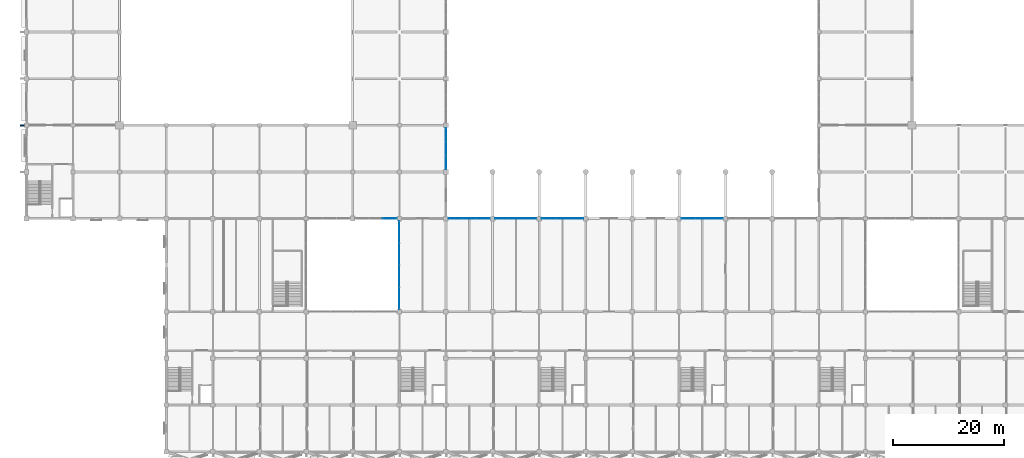
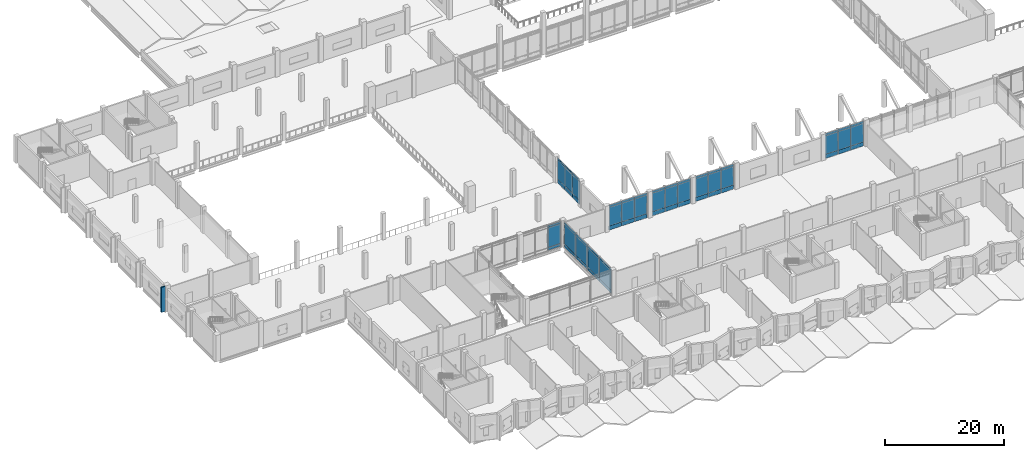
# One storey, part 37 of 72: 61 plates, 7 elements without a shape of their own.
"""IFC4 building model written with IfcOpenShell, lengths in metres."""

from ifc_helpers import new_model, si_unit, direction, frame, frame_2d, origin, place, context, subcontext, project, spatial, rectangle, extrude, material, layer, layer_set, type_object, element, aggregate, save


model = new_model("IFC4")

# Units and contexts
model_context = context("Model", 3, precision=1e-05, world=origin(), true_north=direction((0.0, 1.0)))
body_context = subcontext(model_context, "Body", "Model", "MODEL_VIEW")
ifc_project = project(units=[si_unit("LENGTHUNIT", "METRE"), si_unit("AREAUNIT", "SQUARE_METRE"), si_unit("VOLUMEUNIT", "CUBIC_METRE"), si_unit("PLANEANGLEUNIT", "RADIAN"), si_unit("MASSUNIT", "GRAM", prefix="KILO")], contexts=[model_context])

# Site, building, storey
site_placement = place(None, origin())
site = spatial("IfcSite", under=ifc_project, at=site_placement, CompositionType="ELEMENT")
building_placement = place(site_placement, origin())
building = spatial("IfcBuilding", under=site, at=building_placement, Name="Qawsi Khor Wholesale Market", CompositionType="ELEMENT")
storey_placement = place(building_placement, frame((0.0, 0.0, 6.0)))
storey = spatial("IfcBuildingStorey", under=building, at=storey_placement, Name="L01", CompositionType="ELEMENT", Elevation=6.0)

# Curtain wall, plate
ifc_material_1 = material(Name="Aluminium Anodised Bronze", Category="aluminium")
ifc_layer_1 = layer(ifc_material_1, 0.179931640625, Name="Aluminium Anodised Bronze")
ifc_layer_set_1 = layer_set([ifc_layer_1], Name="Aluminium Anodised Bronze")
curtain_wall_type_1 = type_object("IfcCurtainWallType", Name="Atrium Full-Height Curtain Wall CW-02", PredefinedType="NOTDEFINED", material=ifc_layer_set_1)
curtain_wall_1_placement = place(storey_placement, origin())
curtain_wall_1 = element("IfcCurtainWall", 1, at=curtain_wall_1_placement, inside=storey, type_object=curtain_wall_type_1, Name="Curtain wall CW-CW-02-L01-018", PredefinedType="NOTDEFINED")
ifc_material_2 = material(Name="Anodised Aluminium Spandrel", Category="aluminium")
ifc_layer_2 = layer(ifc_material_2, 0.06494140625, Name="Anodised Aluminium Spandrel")
ifc_layer_set_2 = layer_set([ifc_layer_2], Name="Anodised Aluminium Spandrel")
plate_type_1 = type_object("IfcPlateType", Name="Insulated Spandrel Panel CW-02 65mm", PredefinedType="CURTAIN_PANEL", material=ifc_layer_set_2)
plate_1_placement = place(storey_placement, frame((64.235107421875, 42.0, 0.0048828125), z_axis=(0.0, 0.0, 1.0), x_axis=(1.0, 0.0, 0.0)))
plate_1 = element("IfcPlate", 2, at=plate_1_placement, type_object=plate_type_1, Name="Curtain panel CW-CW-02-L01-018-P0_02", PredefinedType="CURTAIN_PANEL", context=body_context, shape_type="SweptSolid", body=[
    extrude(rectangle(XDim=2.469970703125, YDim=0.06494140625, at=frame_2d((1.23486328125, 0.0))), origin(), (0.0, 0.0, 1.0), 0.590087890625),
])

# Curtain wall, plates
curtain_wall_2_placement = place(storey_placement, origin())
curtain_wall_2 = element("IfcCurtainWall", 3, at=curtain_wall_2_placement, inside=storey, type_object=curtain_wall_type_1, Name="Curtain wall CW-CW-02-L01-020", PredefinedType="NOTDEFINED")
plate_2_placement = place(storey_placement, frame((67.199951171875, 25.695068359375, 0.0048828125), z_axis=(0.0, 0.0, 1.0), x_axis=(0.0, 1.0, 0.0)))
plate_2 = element("IfcPlate", 4, at=plate_2_placement, type_object=plate_type_1, Name="Curtain panel CW-CW-02-L01-020-P0_00", PredefinedType="CURTAIN_PANEL", context=body_context, shape_type="SweptSolid", body=[
    extrude(rectangle(XDim=3.952392578125, YDim=0.06494140625, at=frame_2d((1.97607421875, 0.0))), origin(), (0.0, 0.0, 1.0), 0.590087890625),
])
plate_3_placement = place(storey_placement, frame((67.199951171875, 29.6474609375, 0.0048828125), z_axis=(0.0, 0.0, 1.0), x_axis=(0.0, 1.0, 0.0)))
plate_3 = element("IfcPlate", 5, at=plate_3_placement, type_object=plate_type_1, Name="Curtain panel CW-CW-02-L01-020-P0_01", PredefinedType="CURTAIN_PANEL", context=body_context, shape_type="SweptSolid", body=[
    extrude(rectangle(XDim=3.95263671875, YDim=0.06494140625, at=frame_2d((1.976318359375, 0.0))), origin(), (0.0, 0.0, 1.0), 0.590087890625),
])
plate_4_placement = place(storey_placement, frame((67.199951171875, 33.60009765625, 0.0048828125), z_axis=(0.0, 0.0, 1.0), x_axis=(0.0, 1.0, 0.0)))
plate_4 = element("IfcPlate", 6, at=plate_4_placement, type_object=plate_type_1, Name="Curtain panel CW-CW-02-L01-020-P0_02", PredefinedType="CURTAIN_PANEL", context=body_context, shape_type="SweptSolid", body=[
    extrude(rectangle(XDim=3.952392578125, YDim=0.06494140625, at=frame_2d((1.97607421875, 0.0))), origin(), (0.0, 0.0, 1.0), 0.590087890625),
])
plate_5_placement = place(storey_placement, frame((67.199951171875, 37.552490234375, 0.0048828125), z_axis=(0.0, 0.0, 1.0), x_axis=(0.0, 1.0, 0.0)))
plate_5 = element("IfcPlate", 7, at=plate_5_placement, type_object=plate_type_1, Name="Curtain panel CW-CW-02-L01-020-P0_03", PredefinedType="CURTAIN_PANEL", context=body_context, shape_type="SweptSolid", body=[
    extrude(rectangle(XDim=3.952392578125, YDim=0.06494140625, at=frame_2d((1.97607421875, 0.0))), origin(), (0.0, 0.0, 1.0), 0.590087890625),
])

ifc_layer_3 = layer(ifc_material_1, 0.199951171875, Name="Aluminium Anodised Bronze")
ifc_layer_set_3 = layer_set([ifc_layer_3], Name="Aluminium Anodised Bronze")
curtain_wall_type_2 = type_object("IfcCurtainWallType", Name="Trading Hall North-Light Curtain Wall CW-03", PredefinedType="NOTDEFINED", material=ifc_layer_set_3)
curtain_wall_3_placement = place(storey_placement, origin())
curtain_wall_3 = element("IfcCurtainWall", 8, at=curtain_wall_3_placement, inside=storey, type_object=curtain_wall_type_2, Name="Curtain wall CW-CW-03-L01-073", PredefinedType="NOTDEFINED")
ifc_layer_4 = layer(ifc_material_2, 0.074951171875, Name="Anodised Aluminium Spandrel")
ifc_layer_set_4 = layer_set([ifc_layer_4], Name="Anodised Aluminium Spandrel")
plate_type_2 = type_object("IfcPlateType", Name="Insulated Spandrel Panel CW-03 75mm", PredefinedType="CURTAIN_PANEL", material=ifc_layer_set_4)
plate_6_placement = place(storey_placement, frame((75.60009765625, 50.8974609375, 0.0048828125), z_axis=(0.0, 0.0, 1.0), x_axis=(0.0, 1.0, 0.0)))
plate_6 = element("IfcPlate", 9, at=plate_6_placement, type_object=plate_type_2, Name="Curtain panel CW-CW-03-L01-073-P0_00", PredefinedType="CURTAIN_PANEL", context=body_context, shape_type="SweptSolid", body=[
    extrude(rectangle(XDim=2.46826171875, YDim=0.074951171875, at=frame_2d((1.234130859375, 0.0))), origin(), (0.0, 0.0, 1.0), 0.840087890625),
])
plate_7_placement = place(storey_placement, frame((75.60009765625, 53.36572265625, 0.0048828125), z_axis=(0.0, 0.0, 1.0), x_axis=(0.0, 1.0, 0.0)))
plate_7 = element("IfcPlate", 10, at=plate_7_placement, type_object=plate_type_2, Name="Curtain panel CW-CW-03-L01-073-P0_01", PredefinedType="CURTAIN_PANEL", context=body_context, shape_type="SweptSolid", body=[
    extrude(rectangle(XDim=2.468505859375, YDim=0.074951171875, at=frame_2d((1.234375, 0.0))), origin(), (0.0, 0.0, 1.0), 0.840087890625),
])
plate_8_placement = place(storey_placement, frame((75.60009765625, 55.834228515625, 0.0048828125), z_axis=(0.0, 0.0, 1.0), x_axis=(0.0, 1.0, 0.0)))
plate_8 = element("IfcPlate", 11, at=plate_8_placement, type_object=plate_type_2, Name="Curtain panel CW-CW-03-L01-073-P0_02", PredefinedType="CURTAIN_PANEL", context=body_context, shape_type="SweptSolid", body=[
    extrude(rectangle(XDim=2.46826171875, YDim=0.074951171875, at=frame_2d((1.234130859375, 0.0))), origin(), (0.0, 0.0, 1.0), 0.840087890625),
])

ifc_layer_5 = layer(ifc_material_1, 0.169921875, Name="Aluminium Anodised Bronze")
ifc_layer_set_5 = layer_set([ifc_layer_5], Name="Aluminium Anodised Bronze")
curtain_wall_type_3 = type_object("IfcCurtainWallType", Name="Central Court Gallery Curtain Wall CW-05", PredefinedType="NOTDEFINED", material=ifc_layer_set_5)
curtain_wall_4_placement = place(storey_placement, origin())
curtain_wall_4 = element("IfcCurtainWall", 12, at=curtain_wall_4_placement, inside=storey, type_object=curtain_wall_type_3, Name="Curtain wall CW-CW-05-L01-060", PredefinedType="NOTDEFINED")
ifc_layer_6 = layer(ifc_material_2, 0.094970703125, Name="Anodised Aluminium Spandrel")
ifc_layer_set_6 = layer_set([ifc_layer_6], Name="Anodised Aluminium Spandrel")
plate_type_3 = type_object("IfcPlateType", Name="Insulated Spandrel Panel CW-05 95mm", PredefinedType="CURTAIN_PANEL", material=ifc_layer_set_6)
plate_9_placement = place(storey_placement, frame((76.10009765625, 42.0, 0.0048828125), z_axis=(0.0, 0.0, 1.0), x_axis=(1.0, 0.0, 0.0)))
plate_9 = element("IfcPlate", 13, at=plate_9_placement, type_object=plate_type_3, Name="Curtain panel CW-CW-05-L01-060-P0_00", PredefinedType="CURTAIN_PANEL", context=body_context, shape_type="SweptSolid", body=[
    extrude(rectangle(XDim=2.466552734375, YDim=0.094970703125, at=frame_2d((1.2333984375, 0.0))), origin(), (0.0, 0.0, 1.0), 0.840087890625),
])
plate_10_placement = place(storey_placement, frame((78.566650390625, 42.0, 0.0048828125), z_axis=(0.0, 0.0, 1.0), x_axis=(1.0, 0.0, 0.0)))
plate_10 = element("IfcPlate", 14, at=plate_10_placement, type_object=plate_type_3, Name="Curtain panel CW-CW-05-L01-060-P0_01", PredefinedType="CURTAIN_PANEL", context=body_context, shape_type="SweptSolid", body=[
    extrude(rectangle(XDim=2.466552734375, YDim=0.094970703125, at=frame_2d((1.2333984375, 0.0))), origin(), (0.0, 0.0, 1.0), 0.840087890625),
])
plate_11_placement = place(storey_placement, frame((81.033203125, 42.0, 0.0048828125), z_axis=(0.0, 0.0, 1.0), x_axis=(1.0, 0.0, 0.0)))
plate_11 = element("IfcPlate", 15, at=plate_11_placement, type_object=plate_type_3, Name="Curtain panel CW-CW-05-L01-060-P0_02", PredefinedType="CURTAIN_PANEL", context=body_context, shape_type="SweptSolid", body=[
    extrude(rectangle(XDim=2.466796875, YDim=0.094970703125, at=frame_2d((1.2333984375, 0.0))), origin(), (0.0, 0.0, 1.0), 0.840087890625),
])

curtain_wall_5_placement = place(storey_placement, origin())
curtain_wall_5 = element("IfcCurtainWall", 16, at=curtain_wall_5_placement, inside=storey, type_object=curtain_wall_type_3, Name="Curtain wall CW-CW-05-L01-061", PredefinedType="NOTDEFINED")
plate_12_placement = place(storey_placement, frame((84.5, 42.0, 0.0048828125), z_axis=(0.0, 0.0, 1.0), x_axis=(1.0, 0.0, 0.0)))
plate_12 = element("IfcPlate", 17, at=plate_12_placement, type_object=plate_type_3, Name="Curtain panel CW-CW-05-L01-061-P0_00", PredefinedType="CURTAIN_PANEL", context=body_context, shape_type="SweptSolid", body=[
    extrude(rectangle(XDim=2.466796875, YDim=0.094970703125, at=frame_2d((1.2333984375, 0.0))), origin(), (0.0, 0.0, 1.0), 0.840087890625),
])
plate_13_placement = place(storey_placement, frame((86.966796875, 42.0, 0.0048828125), z_axis=(0.0, 0.0, 1.0), x_axis=(1.0, 0.0, 0.0)))
plate_13 = element("IfcPlate", 18, at=plate_13_placement, type_object=plate_type_3, Name="Curtain panel CW-CW-05-L01-061-P0_01", PredefinedType="CURTAIN_PANEL", context=body_context, shape_type="SweptSolid", body=[
    extrude(rectangle(XDim=2.466552734375, YDim=0.094970703125, at=frame_2d((1.2333984375, 0.0))), origin(), (0.0, 0.0, 1.0), 0.840087890625),
])
plate_14_placement = place(storey_placement, frame((89.433349609375, 42.0, 0.0048828125), z_axis=(0.0, 0.0, 1.0), x_axis=(1.0, 0.0, 0.0)))
plate_14 = element("IfcPlate", 19, at=plate_14_placement, type_object=plate_type_3, Name="Curtain panel CW-CW-05-L01-061-P0_02", PredefinedType="CURTAIN_PANEL", context=body_context, shape_type="SweptSolid", body=[
    extrude(rectangle(XDim=2.466552734375, YDim=0.094970703125, at=frame_2d((1.2333984375, 0.0))), origin(), (0.0, 0.0, 1.0), 0.840087890625),
])

curtain_wall_6_placement = place(storey_placement, origin())
curtain_wall_6 = element("IfcCurtainWall", 20, at=curtain_wall_6_placement, inside=storey, type_object=curtain_wall_type_3, Name="Curtain wall CW-CW-05-L01-062", PredefinedType="NOTDEFINED")
plate_15_placement = place(storey_placement, frame((92.89990234375, 42.0, 0.0048828125), z_axis=(0.0, 0.0, 1.0), x_axis=(1.0, 0.0, 0.0)))
plate_15 = element("IfcPlate", 21, at=plate_15_placement, type_object=plate_type_3, Name="Curtain panel CW-CW-05-L01-062-P0_00", PredefinedType="CURTAIN_PANEL", context=body_context, shape_type="SweptSolid", body=[
    extrude(rectangle(XDim=2.466796875, YDim=0.094970703125, at=frame_2d((1.2333984375, 0.0))), origin(), (0.0, 0.0, 1.0), 0.840087890625),
])
plate_16_placement = place(storey_placement, frame((95.36669921875, 42.0, 0.0048828125), z_axis=(0.0, 0.0, 1.0), x_axis=(1.0, 0.0, 0.0)))
plate_16 = element("IfcPlate", 22, at=plate_16_placement, type_object=plate_type_3, Name="Curtain panel CW-CW-05-L01-062-P0_01", PredefinedType="CURTAIN_PANEL", context=body_context, shape_type="SweptSolid", body=[
    extrude(rectangle(XDim=2.466552734375, YDim=0.094970703125, at=frame_2d((1.2333984375, 0.0))), origin(), (0.0, 0.0, 1.0), 0.840087890625),
])
plate_17_placement = place(storey_placement, frame((97.833251953125, 42.0, 0.0048828125), z_axis=(0.0, 0.0, 1.0), x_axis=(1.0, 0.0, 0.0)))
plate_17 = element("IfcPlate", 23, at=plate_17_placement, type_object=plate_type_3, Name="Curtain panel CW-CW-05-L01-062-P0_02", PredefinedType="CURTAIN_PANEL", context=body_context, shape_type="SweptSolid", body=[
    extrude(rectangle(XDim=2.466796875, YDim=0.094970703125, at=frame_2d((1.2333984375, 0.0))), origin(), (0.0, 0.0, 1.0), 0.840087890625),
])

curtain_wall_7_placement = place(storey_placement, origin())
curtain_wall_7 = element("IfcCurtainWall", 24, at=curtain_wall_7_placement, inside=storey, type_object=curtain_wall_type_3, Name="Curtain wall CW-CW-05-L01-063", PredefinedType="NOTDEFINED")
plate_18_placement = place(storey_placement, frame((118.10009765625, 42.0, 0.0048828125), z_axis=(0.0, 0.0, 1.0), x_axis=(1.0, 0.0, 0.0)))
plate_18 = element("IfcPlate", 25, at=plate_18_placement, type_object=plate_type_3, Name="Curtain panel CW-CW-05-L01-063-P0_00", PredefinedType="CURTAIN_PANEL", context=body_context, shape_type="SweptSolid", body=[
    extrude(rectangle(XDim=2.466552734375, YDim=0.094970703125, at=frame_2d((1.2333984375, 0.0))), origin(), (0.0, 0.0, 1.0), 0.840087890625),
])
plate_19_placement = place(storey_placement, frame((120.566650390625, 42.0, 0.0048828125), z_axis=(0.0, 0.0, 1.0), x_axis=(1.0, 0.0, 0.0)))
plate_19 = element("IfcPlate", 26, at=plate_19_placement, type_object=plate_type_3, Name="Curtain panel CW-CW-05-L01-063-P0_01", PredefinedType="CURTAIN_PANEL", context=body_context, shape_type="SweptSolid", body=[
    extrude(rectangle(XDim=2.466552734375, YDim=0.094970703125, at=frame_2d((1.2333984375, 0.0))), origin(), (0.0, 0.0, 1.0), 0.840087890625),
])
plate_20_placement = place(storey_placement, frame((123.033203125, 42.0, 0.0048828125), z_axis=(0.0, 0.0, 1.0), x_axis=(1.0, 0.0, 0.0)))
plate_20 = element("IfcPlate", 27, at=plate_20_placement, type_object=plate_type_3, Name="Curtain panel CW-CW-05-L01-063-P0_02", PredefinedType="CURTAIN_PANEL", context=body_context, shape_type="SweptSolid", body=[
    extrude(rectangle(XDim=2.466796875, YDim=0.094970703125, at=frame_2d((1.2333984375, 0.0))), origin(), (0.0, 0.0, 1.0), 0.840087890625),
])

# Plate
ifc_material_3 = material(Name="Concrete C40/50", Category="concrete")
ifc_layer_7 = layer(ifc_material_3, 0.260009765625, Name="Concrete C40/50")
ifc_layer_set_7 = layer_set([ifc_layer_7], Name="Concrete C40/50")
plate_type_4 = type_object("IfcPlateType", Name="Sculpted Concrete Solar Buttress Fin 260", PredefinedType="SHEET", material=ifc_layer_set_7)
plate_21_placement = place(storey_placement, frame((-1.14990234375, 58.800048828125, 0.0), z_axis=(0.0, 0.0, 1.0), x_axis=(1.0, 0.0, 0.0)))
element("IfcPlate", 28, at=plate_21_placement, inside=storey, type_object=plate_type_4, Name="West Hall Concrete Buttress Rib L01-7", PredefinedType="SHEET", context=body_context, shape_type="SweptSolid", body=[
    extrude(rectangle(XDim=0.760009765625, YDim=0.260009765625, at=frame_2d((0.3798828125, 0.0))), origin(), (0.0, 0.0, 1.0), 5.1298828125),
])

ifc_material_4 = material(Name="Tempered Low-E Solar Glass", Category="glass")
ifc_layer_8 = layer(ifc_material_4, 0.031982421875, Name="Tempered Low-E Solar Glass")
ifc_layer_set_8 = layer_set([ifc_layer_8], Name="Tempered Low-E Solar Glass")
plate_type_5 = type_object("IfcPlateType", Name="Solar Double-Glazed Unit CW-02 32mm", PredefinedType="CURTAIN_PANEL", material=ifc_layer_set_8)
plate_22_placement = place(storey_placement, frame((64.235107421875, 42.0, 0.60498046875), z_axis=(0.0, 0.0, 1.0), x_axis=(1.0, 0.0, 0.0)))
plate_22 = element("IfcPlate", 29, at=plate_22_placement, type_object=plate_type_5, Name="Curtain panel CW-CW-02-L01-018-P1_02", PredefinedType="CURTAIN_PANEL", context=body_context, shape_type="SweptSolid", body=[
    extrude(rectangle(XDim=2.469970703125, YDim=0.031982421875, at=frame_2d((1.23486328125, 0.0))), origin(), (0.0, 0.0, 1.0), 4.06005859375),
])

plate_23_placement = place(storey_placement, frame((64.235107421875, 42.0, 4.675048828125), z_axis=(0.0, 0.0, 1.0), x_axis=(1.0, 0.0, 0.0)))
plate_23 = element("IfcPlate", 30, at=plate_23_placement, type_object=plate_type_5, Name="Curtain panel CW-CW-02-L01-018-P2_02", PredefinedType="CURTAIN_PANEL", context=body_context, shape_type="SweptSolid", body=[
    extrude(rectangle(XDim=2.469970703125, YDim=0.031982421875, at=frame_2d((1.23486328125, 0.0))), origin(), (0.0, 0.0, 1.0), 0.43994140625),
])

aggregate(curtain_wall_1, [plate_1, plate_22, plate_23])

plate_24_placement = place(storey_placement, frame((67.199951171875, 25.695068359375, 0.60498046875), z_axis=(0.0, 0.0, 1.0), x_axis=(0.0, 1.0, 0.0)))
plate_24 = element("IfcPlate", 31, at=plate_24_placement, type_object=plate_type_5, Name="Curtain panel CW-CW-02-L01-020-P1_00", PredefinedType="CURTAIN_PANEL", context=body_context, shape_type="SweptSolid", body=[
    extrude(rectangle(XDim=3.952392578125, YDim=0.031982421875, at=frame_2d((1.97607421875, 0.0))), origin(), (0.0, 0.0, 1.0), 4.06005859375),
])

plate_25_placement = place(storey_placement, frame((67.199951171875, 29.6474609375, 0.60498046875), z_axis=(0.0, 0.0, 1.0), x_axis=(0.0, 1.0, 0.0)))
plate_25 = element("IfcPlate", 32, at=plate_25_placement, type_object=plate_type_5, Name="Curtain panel CW-CW-02-L01-020-P1_01", PredefinedType="CURTAIN_PANEL", context=body_context, shape_type="SweptSolid", body=[
    extrude(rectangle(XDim=3.95263671875, YDim=0.031982421875, at=frame_2d((1.976318359375, 0.0))), origin(), (0.0, 0.0, 1.0), 4.06005859375),
])

plate_26_placement = place(storey_placement, frame((67.199951171875, 33.60009765625, 0.60498046875), z_axis=(0.0, 0.0, 1.0), x_axis=(0.0, 1.0, 0.0)))
plate_26 = element("IfcPlate", 33, at=plate_26_placement, type_object=plate_type_5, Name="Curtain panel CW-CW-02-L01-020-P1_02", PredefinedType="CURTAIN_PANEL", context=body_context, shape_type="SweptSolid", body=[
    extrude(rectangle(XDim=3.952392578125, YDim=0.031982421875, at=frame_2d((1.97607421875, 0.0))), origin(), (0.0, 0.0, 1.0), 4.06005859375),
])

plate_27_placement = place(storey_placement, frame((67.199951171875, 37.552490234375, 0.60498046875), z_axis=(0.0, 0.0, 1.0), x_axis=(0.0, 1.0, 0.0)))
plate_27 = element("IfcPlate", 34, at=plate_27_placement, type_object=plate_type_5, Name="Curtain panel CW-CW-02-L01-020-P1_03", PredefinedType="CURTAIN_PANEL", context=body_context, shape_type="SweptSolid", body=[
    extrude(rectangle(XDim=3.952392578125, YDim=0.031982421875, at=frame_2d((1.97607421875, 0.0))), origin(), (0.0, 0.0, 1.0), 4.06005859375),
])

plate_28_placement = place(storey_placement, frame((67.199951171875, 25.695068359375, 4.675048828125), z_axis=(0.0, 0.0, 1.0), x_axis=(0.0, 1.0, 0.0)))
plate_28 = element("IfcPlate", 35, at=plate_28_placement, type_object=plate_type_5, Name="Curtain panel CW-CW-02-L01-020-P2_00", PredefinedType="CURTAIN_PANEL", context=body_context, shape_type="SweptSolid", body=[
    extrude(rectangle(XDim=3.952392578125, YDim=0.031982421875, at=frame_2d((1.97607421875, 0.0))), origin(), (0.0, 0.0, 1.0), 0.43994140625),
])

plate_29_placement = place(storey_placement, frame((67.199951171875, 29.6474609375, 4.675048828125), z_axis=(0.0, 0.0, 1.0), x_axis=(0.0, 1.0, 0.0)))
plate_29 = element("IfcPlate", 36, at=plate_29_placement, type_object=plate_type_5, Name="Curtain panel CW-CW-02-L01-020-P2_01", PredefinedType="CURTAIN_PANEL", context=body_context, shape_type="SweptSolid", body=[
    extrude(rectangle(XDim=3.95263671875, YDim=0.031982421875, at=frame_2d((1.976318359375, 0.0))), origin(), (0.0, 0.0, 1.0), 0.43994140625),
])

plate_30_placement = place(storey_placement, frame((67.199951171875, 33.60009765625, 4.675048828125), z_axis=(0.0, 0.0, 1.0), x_axis=(0.0, 1.0, 0.0)))
plate_30 = element("IfcPlate", 37, at=plate_30_placement, type_object=plate_type_5, Name="Curtain panel CW-CW-02-L01-020-P2_02", PredefinedType="CURTAIN_PANEL", context=body_context, shape_type="SweptSolid", body=[
    extrude(rectangle(XDim=3.952392578125, YDim=0.031982421875, at=frame_2d((1.97607421875, 0.0))), origin(), (0.0, 0.0, 1.0), 0.43994140625),
])

plate_31_placement = place(storey_placement, frame((67.199951171875, 37.552490234375, 4.675048828125), z_axis=(0.0, 0.0, 1.0), x_axis=(0.0, 1.0, 0.0)))
plate_31 = element("IfcPlate", 38, at=plate_31_placement, type_object=plate_type_5, Name="Curtain panel CW-CW-02-L01-020-P2_03", PredefinedType="CURTAIN_PANEL", context=body_context, shape_type="SweptSolid", body=[
    extrude(rectangle(XDim=3.952392578125, YDim=0.031982421875, at=frame_2d((1.97607421875, 0.0))), origin(), (0.0, 0.0, 1.0), 0.43994140625),
])

aggregate(curtain_wall_2, [plate_2, plate_3, plate_4, plate_5, plate_24, plate_25, plate_26, plate_27, plate_28, plate_29, plate_30, plate_31])

ifc_layer_9 = layer(ifc_material_4, 0.0419921875, Name="Tempered Low-E Solar Glass")
ifc_layer_set_9 = layer_set([ifc_layer_9], Name="Tempered Low-E Solar Glass")
plate_type_6 = type_object("IfcPlateType", Name="Solar Double-Glazed Unit CW-03 42mm", PredefinedType="CURTAIN_PANEL", material=ifc_layer_set_9)
plate_32_placement = place(storey_placement, frame((75.60009765625, 50.8974609375, 0.85498046875), z_axis=(0.0, 0.0, 1.0), x_axis=(0.0, 1.0, 0.0)))
plate_32 = element("IfcPlate", 39, at=plate_32_placement, type_object=plate_type_6, Name="Curtain panel CW-CW-03-L01-073-P1_00", PredefinedType="CURTAIN_PANEL", context=body_context, shape_type="SweptSolid", body=[
    extrude(rectangle(XDim=2.46826171875, YDim=0.0419921875, at=frame_2d((1.234130859375, 0.0))), origin(), (0.0, 0.0, 1.0), 3.820068359375),
])

plate_33_placement = place(storey_placement, frame((75.60009765625, 53.36572265625, 0.85498046875), z_axis=(0.0, 0.0, 1.0), x_axis=(0.0, 1.0, 0.0)))
plate_33 = element("IfcPlate", 40, at=plate_33_placement, type_object=plate_type_6, Name="Curtain panel CW-CW-03-L01-073-P1_01", PredefinedType="CURTAIN_PANEL", context=body_context, shape_type="SweptSolid", body=[
    extrude(rectangle(XDim=2.468505859375, YDim=0.0419921875, at=frame_2d((1.234375, 0.0))), origin(), (0.0, 0.0, 1.0), 3.820068359375),
])

plate_34_placement = place(storey_placement, frame((75.60009765625, 55.834228515625, 0.85498046875), z_axis=(0.0, 0.0, 1.0), x_axis=(0.0, 1.0, 0.0)))
plate_34 = element("IfcPlate", 41, at=plate_34_placement, type_object=plate_type_6, Name="Curtain panel CW-CW-03-L01-073-P1_02", PredefinedType="CURTAIN_PANEL", context=body_context, shape_type="SweptSolid", body=[
    extrude(rectangle(XDim=2.46826171875, YDim=0.0419921875, at=frame_2d((1.234130859375, 0.0))), origin(), (0.0, 0.0, 1.0), 3.820068359375),
])

plate_35_placement = place(storey_placement, frame((75.60009765625, 50.8974609375, 4.68505859375), z_axis=(0.0, 0.0, 1.0), x_axis=(0.0, 1.0, 0.0)))
plate_35 = element("IfcPlate", 42, at=plate_35_placement, type_object=plate_type_6, Name="Curtain panel CW-CW-03-L01-073-P2_00", PredefinedType="CURTAIN_PANEL", context=body_context, shape_type="SweptSolid", body=[
    extrude(rectangle(XDim=2.46826171875, YDim=0.0419921875, at=frame_2d((1.234130859375, 0.0))), origin(), (0.0, 0.0, 1.0), 0.43994140625),
])

plate_36_placement = place(storey_placement, frame((75.60009765625, 53.36572265625, 4.68505859375), z_axis=(0.0, 0.0, 1.0), x_axis=(0.0, 1.0, 0.0)))
plate_36 = element("IfcPlate", 43, at=plate_36_placement, type_object=plate_type_6, Name="Curtain panel CW-CW-03-L01-073-P2_01", PredefinedType="CURTAIN_PANEL", context=body_context, shape_type="SweptSolid", body=[
    extrude(rectangle(XDim=2.468505859375, YDim=0.0419921875, at=frame_2d((1.234375, 0.0))), origin(), (0.0, 0.0, 1.0), 0.43994140625),
])

plate_37_placement = place(storey_placement, frame((75.60009765625, 55.834228515625, 4.68505859375), z_axis=(0.0, 0.0, 1.0), x_axis=(0.0, 1.0, 0.0)))
plate_37 = element("IfcPlate", 44, at=plate_37_placement, type_object=plate_type_6, Name="Curtain panel CW-CW-03-L01-073-P2_02", PredefinedType="CURTAIN_PANEL", context=body_context, shape_type="SweptSolid", body=[
    extrude(rectangle(XDim=2.46826171875, YDim=0.0419921875, at=frame_2d((1.234130859375, 0.0))), origin(), (0.0, 0.0, 1.0), 0.43994140625),
])

aggregate(curtain_wall_3, [plate_6, plate_7, plate_8, plate_32, plate_33, plate_34, plate_35, plate_36, plate_37])

ifc_layer_10 = layer(ifc_material_4, 0.035888671875, Name="Tempered Low-E Solar Glass")
ifc_layer_set_10 = layer_set([ifc_layer_10], Name="Tempered Low-E Solar Glass")
plate_type_7 = type_object("IfcPlateType", Name="Solar Double-Glazed Unit CW-05 36mm", PredefinedType="CURTAIN_PANEL", material=ifc_layer_set_10)
plate_38_placement = place(storey_placement, frame((76.10009765625, 42.0, 0.85498046875), z_axis=(0.0, 0.0, 1.0), x_axis=(1.0, 0.0, 0.0)))
plate_38 = element("IfcPlate", 45, at=plate_38_placement, type_object=plate_type_7, Name="Curtain panel CW-CW-05-L01-060-P1_00", PredefinedType="CURTAIN_PANEL", context=body_context, shape_type="SweptSolid", body=[
    extrude(rectangle(XDim=2.466552734375, YDim=0.035888671875, at=frame_2d((1.2333984375, 0.0))), origin(), (0.0, 0.0, 1.0), 3.81005859375),
])

plate_39_placement = place(storey_placement, frame((78.566650390625, 42.0, 0.85498046875), z_axis=(0.0, 0.0, 1.0), x_axis=(1.0, 0.0, 0.0)))
plate_39 = element("IfcPlate", 46, at=plate_39_placement, type_object=plate_type_7, Name="Curtain panel CW-CW-05-L01-060-P1_01", PredefinedType="CURTAIN_PANEL", context=body_context, shape_type="SweptSolid", body=[
    extrude(rectangle(XDim=2.466552734375, YDim=0.035888671875, at=frame_2d((1.2333984375, 0.0))), origin(), (0.0, 0.0, 1.0), 3.81005859375),
])

plate_40_placement = place(storey_placement, frame((81.033203125, 42.0, 0.85498046875), z_axis=(0.0, 0.0, 1.0), x_axis=(1.0, 0.0, 0.0)))
plate_40 = element("IfcPlate", 47, at=plate_40_placement, type_object=plate_type_7, Name="Curtain panel CW-CW-05-L01-060-P1_02", PredefinedType="CURTAIN_PANEL", context=body_context, shape_type="SweptSolid", body=[
    extrude(rectangle(XDim=2.466796875, YDim=0.035888671875, at=frame_2d((1.2333984375, 0.0))), origin(), (0.0, 0.0, 1.0), 3.81005859375),
])

plate_41_placement = place(storey_placement, frame((76.10009765625, 42.0, 4.675048828125), z_axis=(0.0, 0.0, 1.0), x_axis=(1.0, 0.0, 0.0)))
plate_41 = element("IfcPlate", 48, at=plate_41_placement, type_object=plate_type_7, Name="Curtain panel CW-CW-05-L01-060-P2_00", PredefinedType="CURTAIN_PANEL", context=body_context, shape_type="SweptSolid", body=[
    extrude(rectangle(XDim=2.466552734375, YDim=0.035888671875, at=frame_2d((1.2333984375, 0.0))), origin(), (0.0, 0.0, 1.0), 0.43994140625),
])

plate_42_placement = place(storey_placement, frame((78.566650390625, 42.0, 4.675048828125), z_axis=(0.0, 0.0, 1.0), x_axis=(1.0, 0.0, 0.0)))
plate_42 = element("IfcPlate", 49, at=plate_42_placement, type_object=plate_type_7, Name="Curtain panel CW-CW-05-L01-060-P2_01", PredefinedType="CURTAIN_PANEL", context=body_context, shape_type="SweptSolid", body=[
    extrude(rectangle(XDim=2.466552734375, YDim=0.035888671875, at=frame_2d((1.2333984375, 0.0))), origin(), (0.0, 0.0, 1.0), 0.43994140625),
])

plate_43_placement = place(storey_placement, frame((81.033203125, 42.0, 4.675048828125), z_axis=(0.0, 0.0, 1.0), x_axis=(1.0, 0.0, 0.0)))
plate_43 = element("IfcPlate", 50, at=plate_43_placement, type_object=plate_type_7, Name="Curtain panel CW-CW-05-L01-060-P2_02", PredefinedType="CURTAIN_PANEL", context=body_context, shape_type="SweptSolid", body=[
    extrude(rectangle(XDim=2.466796875, YDim=0.035888671875, at=frame_2d((1.2333984375, 0.0))), origin(), (0.0, 0.0, 1.0), 0.43994140625),
])

aggregate(curtain_wall_4, [plate_9, plate_10, plate_11, plate_38, plate_39, plate_40, plate_41, plate_42, plate_43])

plate_44_placement = place(storey_placement, frame((84.5, 42.0, 0.85498046875), z_axis=(0.0, 0.0, 1.0), x_axis=(1.0, 0.0, 0.0)))
plate_44 = element("IfcPlate", 51, at=plate_44_placement, type_object=plate_type_7, Name="Curtain panel CW-CW-05-L01-061-P1_00", PredefinedType="CURTAIN_PANEL", context=body_context, shape_type="SweptSolid", body=[
    extrude(rectangle(XDim=2.466796875, YDim=0.035888671875, at=frame_2d((1.2333984375, 0.0))), origin(), (0.0, 0.0, 1.0), 3.81005859375),
])

plate_45_placement = place(storey_placement, frame((86.966796875, 42.0, 0.85498046875), z_axis=(0.0, 0.0, 1.0), x_axis=(1.0, 0.0, 0.0)))
plate_45 = element("IfcPlate", 52, at=plate_45_placement, type_object=plate_type_7, Name="Curtain panel CW-CW-05-L01-061-P1_01", PredefinedType="CURTAIN_PANEL", context=body_context, shape_type="SweptSolid", body=[
    extrude(rectangle(XDim=2.466552734375, YDim=0.035888671875, at=frame_2d((1.2333984375, 0.0))), origin(), (0.0, 0.0, 1.0), 3.81005859375),
])

plate_46_placement = place(storey_placement, frame((89.433349609375, 42.0, 0.85498046875), z_axis=(0.0, 0.0, 1.0), x_axis=(1.0, 0.0, 0.0)))
plate_46 = element("IfcPlate", 53, at=plate_46_placement, type_object=plate_type_7, Name="Curtain panel CW-CW-05-L01-061-P1_02", PredefinedType="CURTAIN_PANEL", context=body_context, shape_type="SweptSolid", body=[
    extrude(rectangle(XDim=2.466552734375, YDim=0.035888671875, at=frame_2d((1.2333984375, 0.0))), origin(), (0.0, 0.0, 1.0), 3.81005859375),
])

plate_47_placement = place(storey_placement, frame((84.5, 42.0, 4.675048828125), z_axis=(0.0, 0.0, 1.0), x_axis=(1.0, 0.0, 0.0)))
plate_47 = element("IfcPlate", 54, at=plate_47_placement, type_object=plate_type_7, Name="Curtain panel CW-CW-05-L01-061-P2_00", PredefinedType="CURTAIN_PANEL", context=body_context, shape_type="SweptSolid", body=[
    extrude(rectangle(XDim=2.466796875, YDim=0.035888671875, at=frame_2d((1.2333984375, 0.0))), origin(), (0.0, 0.0, 1.0), 0.43994140625),
])

plate_48_placement = place(storey_placement, frame((86.966796875, 42.0, 4.675048828125), z_axis=(0.0, 0.0, 1.0), x_axis=(1.0, 0.0, 0.0)))
plate_48 = element("IfcPlate", 55, at=plate_48_placement, type_object=plate_type_7, Name="Curtain panel CW-CW-05-L01-061-P2_01", PredefinedType="CURTAIN_PANEL", context=body_context, shape_type="SweptSolid", body=[
    extrude(rectangle(XDim=2.466552734375, YDim=0.035888671875, at=frame_2d((1.2333984375, 0.0))), origin(), (0.0, 0.0, 1.0), 0.43994140625),
])

plate_49_placement = place(storey_placement, frame((89.433349609375, 42.0, 4.675048828125), z_axis=(0.0, 0.0, 1.0), x_axis=(1.0, 0.0, 0.0)))
plate_49 = element("IfcPlate", 56, at=plate_49_placement, type_object=plate_type_7, Name="Curtain panel CW-CW-05-L01-061-P2_02", PredefinedType="CURTAIN_PANEL", context=body_context, shape_type="SweptSolid", body=[
    extrude(rectangle(XDim=2.466552734375, YDim=0.035888671875, at=frame_2d((1.2333984375, 0.0))), origin(), (0.0, 0.0, 1.0), 0.43994140625),
])

aggregate(curtain_wall_5, [plate_12, plate_13, plate_14, plate_44, plate_45, plate_46, plate_47, plate_48, plate_49])

plate_50_placement = place(storey_placement, frame((92.89990234375, 42.0, 0.85498046875), z_axis=(0.0, 0.0, 1.0), x_axis=(1.0, 0.0, 0.0)))
plate_50 = element("IfcPlate", 57, at=plate_50_placement, type_object=plate_type_7, Name="Curtain panel CW-CW-05-L01-062-P1_00", PredefinedType="CURTAIN_PANEL", context=body_context, shape_type="SweptSolid", body=[
    extrude(rectangle(XDim=2.466796875, YDim=0.035888671875, at=frame_2d((1.2333984375, 0.0))), origin(), (0.0, 0.0, 1.0), 3.81005859375),
])

plate_51_placement = place(storey_placement, frame((95.36669921875, 42.0, 0.85498046875), z_axis=(0.0, 0.0, 1.0), x_axis=(1.0, 0.0, 0.0)))
plate_51 = element("IfcPlate", 58, at=plate_51_placement, type_object=plate_type_7, Name="Curtain panel CW-CW-05-L01-062-P1_01", PredefinedType="CURTAIN_PANEL", context=body_context, shape_type="SweptSolid", body=[
    extrude(rectangle(XDim=2.466552734375, YDim=0.035888671875, at=frame_2d((1.2333984375, 0.0))), origin(), (0.0, 0.0, 1.0), 3.81005859375),
])

plate_52_placement = place(storey_placement, frame((97.833251953125, 42.0, 0.85498046875), z_axis=(0.0, 0.0, 1.0), x_axis=(1.0, 0.0, 0.0)))
plate_52 = element("IfcPlate", 59, at=plate_52_placement, type_object=plate_type_7, Name="Curtain panel CW-CW-05-L01-062-P1_02", PredefinedType="CURTAIN_PANEL", context=body_context, shape_type="SweptSolid", body=[
    extrude(rectangle(XDim=2.466796875, YDim=0.035888671875, at=frame_2d((1.2333984375, 0.0))), origin(), (0.0, 0.0, 1.0), 3.81005859375),
])

plate_53_placement = place(storey_placement, frame((92.89990234375, 42.0, 4.675048828125), z_axis=(0.0, 0.0, 1.0), x_axis=(1.0, 0.0, 0.0)))
plate_53 = element("IfcPlate", 60, at=plate_53_placement, type_object=plate_type_7, Name="Curtain panel CW-CW-05-L01-062-P2_00", PredefinedType="CURTAIN_PANEL", context=body_context, shape_type="SweptSolid", body=[
    extrude(rectangle(XDim=2.466796875, YDim=0.035888671875, at=frame_2d((1.2333984375, 0.0))), origin(), (0.0, 0.0, 1.0), 0.43994140625),
])

plate_54_placement = place(storey_placement, frame((95.36669921875, 42.0, 4.675048828125), z_axis=(0.0, 0.0, 1.0), x_axis=(1.0, 0.0, 0.0)))
plate_54 = element("IfcPlate", 61, at=plate_54_placement, type_object=plate_type_7, Name="Curtain panel CW-CW-05-L01-062-P2_01", PredefinedType="CURTAIN_PANEL", context=body_context, shape_type="SweptSolid", body=[
    extrude(rectangle(XDim=2.466552734375, YDim=0.035888671875, at=frame_2d((1.2333984375, 0.0))), origin(), (0.0, 0.0, 1.0), 0.43994140625),
])

plate_55_placement = place(storey_placement, frame((97.833251953125, 42.0, 4.675048828125), z_axis=(0.0, 0.0, 1.0), x_axis=(1.0, 0.0, 0.0)))
plate_55 = element("IfcPlate", 62, at=plate_55_placement, type_object=plate_type_7, Name="Curtain panel CW-CW-05-L01-062-P2_02", PredefinedType="CURTAIN_PANEL", context=body_context, shape_type="SweptSolid", body=[
    extrude(rectangle(XDim=2.466796875, YDim=0.035888671875, at=frame_2d((1.2333984375, 0.0))), origin(), (0.0, 0.0, 1.0), 0.43994140625),
])

aggregate(curtain_wall_6, [plate_15, plate_16, plate_17, plate_50, plate_51, plate_52, plate_53, plate_54, plate_55])

plate_56_placement = place(storey_placement, frame((118.10009765625, 42.0, 0.85498046875), z_axis=(0.0, 0.0, 1.0), x_axis=(1.0, 0.0, 0.0)))
plate_56 = element("IfcPlate", 63, at=plate_56_placement, type_object=plate_type_7, Name="Curtain panel CW-CW-05-L01-063-P1_00", PredefinedType="CURTAIN_PANEL", context=body_context, shape_type="SweptSolid", body=[
    extrude(rectangle(XDim=2.466552734375, YDim=0.035888671875, at=frame_2d((1.2333984375, 0.0))), origin(), (0.0, 0.0, 1.0), 3.81005859375),
])

plate_57_placement = place(storey_placement, frame((120.566650390625, 42.0, 0.85498046875), z_axis=(0.0, 0.0, 1.0), x_axis=(1.0, 0.0, 0.0)))
plate_57 = element("IfcPlate", 64, at=plate_57_placement, type_object=plate_type_7, Name="Curtain panel CW-CW-05-L01-063-P1_01", PredefinedType="CURTAIN_PANEL", context=body_context, shape_type="SweptSolid", body=[
    extrude(rectangle(XDim=2.466552734375, YDim=0.035888671875, at=frame_2d((1.2333984375, 0.0))), origin(), (0.0, 0.0, 1.0), 3.81005859375),
])

plate_58_placement = place(storey_placement, frame((123.033203125, 42.0, 0.85498046875), z_axis=(0.0, 0.0, 1.0), x_axis=(1.0, 0.0, 0.0)))
plate_58 = element("IfcPlate", 65, at=plate_58_placement, type_object=plate_type_7, Name="Curtain panel CW-CW-05-L01-063-P1_02", PredefinedType="CURTAIN_PANEL", context=body_context, shape_type="SweptSolid", body=[
    extrude(rectangle(XDim=2.466796875, YDim=0.035888671875, at=frame_2d((1.2333984375, 0.0))), origin(), (0.0, 0.0, 1.0), 3.81005859375),
])

plate_59_placement = place(storey_placement, frame((118.10009765625, 42.0, 4.675048828125), z_axis=(0.0, 0.0, 1.0), x_axis=(1.0, 0.0, 0.0)))
plate_59 = element("IfcPlate", 66, at=plate_59_placement, type_object=plate_type_7, Name="Curtain panel CW-CW-05-L01-063-P2_00", PredefinedType="CURTAIN_PANEL", context=body_context, shape_type="SweptSolid", body=[
    extrude(rectangle(XDim=2.466552734375, YDim=0.035888671875, at=frame_2d((1.2333984375, 0.0))), origin(), (0.0, 0.0, 1.0), 0.43994140625),
])

plate_60_placement = place(storey_placement, frame((120.566650390625, 42.0, 4.675048828125), z_axis=(0.0, 0.0, 1.0), x_axis=(1.0, 0.0, 0.0)))
plate_60 = element("IfcPlate", 67, at=plate_60_placement, type_object=plate_type_7, Name="Curtain panel CW-CW-05-L01-063-P2_01", PredefinedType="CURTAIN_PANEL", context=body_context, shape_type="SweptSolid", body=[
    extrude(rectangle(XDim=2.466552734375, YDim=0.035888671875, at=frame_2d((1.2333984375, 0.0))), origin(), (0.0, 0.0, 1.0), 0.43994140625),
])

plate_61_placement = place(storey_placement, frame((123.033203125, 42.0, 4.675048828125), z_axis=(0.0, 0.0, 1.0), x_axis=(1.0, 0.0, 0.0)))
plate_61 = element("IfcPlate", 68, at=plate_61_placement, type_object=plate_type_7, Name="Curtain panel CW-CW-05-L01-063-P2_02", PredefinedType="CURTAIN_PANEL", context=body_context, shape_type="SweptSolid", body=[
    extrude(rectangle(XDim=2.466796875, YDim=0.035888671875, at=frame_2d((1.2333984375, 0.0))), origin(), (0.0, 0.0, 1.0), 0.43994140625),
])

aggregate(curtain_wall_7, [plate_18, plate_19, plate_20, plate_56, plate_57, plate_58, plate_59, plate_60, plate_61])

save(model, "model.ifc")
